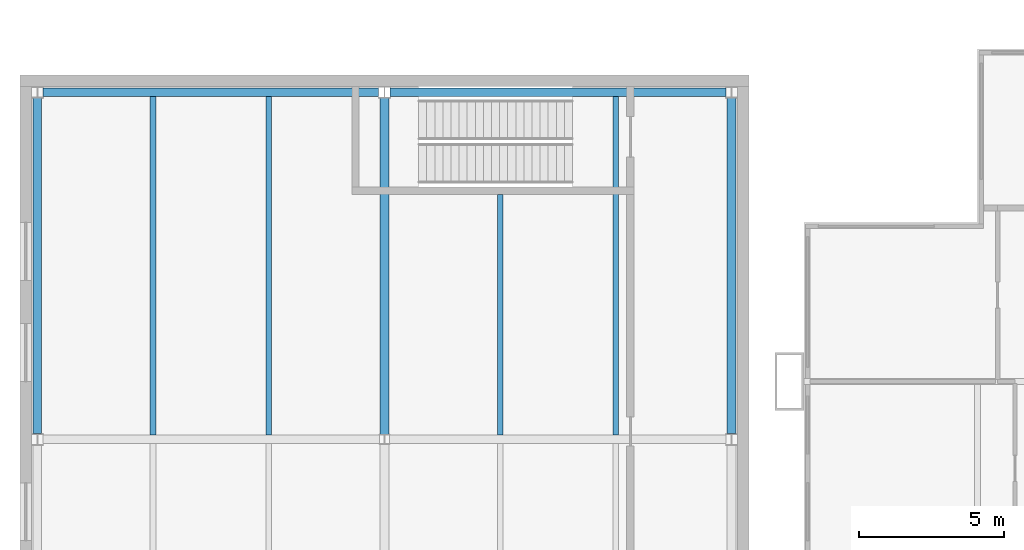
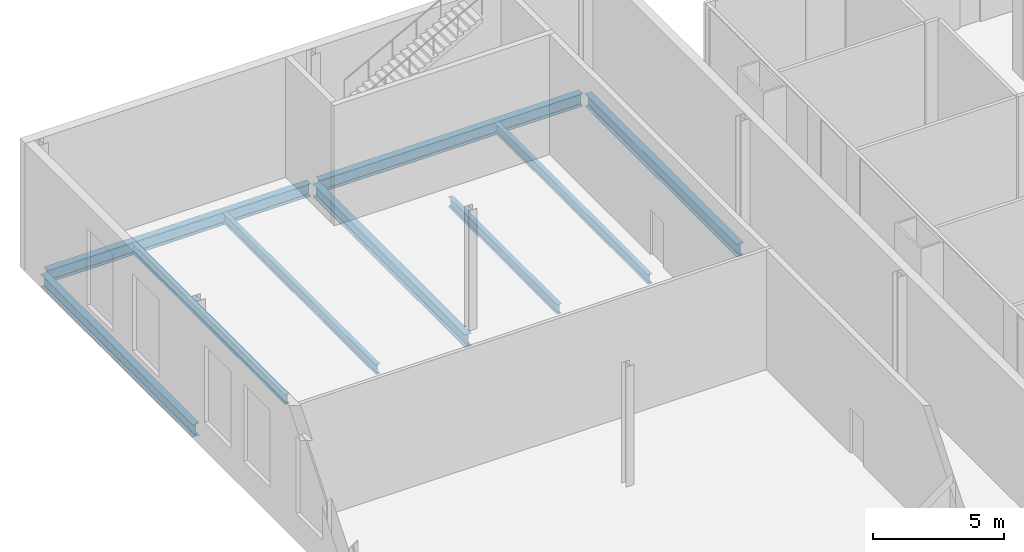
# One storey, part 12 of 25: 9 beams.
"""IFC4 building model written with IfcOpenShell, lengths in metres."""

from ifc_helpers import new_model, si_unit, direction, frame, origin, origin_2d, place, context, subcontext, project, spatial, i_section, extrude, material, material_profile, profile_set, type_object, element, save


model = new_model("IFC4")

# Units and contexts
model_context = context("Model", 3, precision=1e-05, world=origin(), true_north=direction((0.0, 1.0)))
body_context = subcontext(model_context, "Body", "Model", "MODEL_VIEW")
ifc_project = project(units=[si_unit("LENGTHUNIT", "METRE"), si_unit("AREAUNIT", "SQUARE_METRE"), si_unit("VOLUMEUNIT", "CUBIC_METRE"), si_unit("PLANEANGLEUNIT", "RADIAN"), si_unit("MASSUNIT", "GRAM", prefix="KILO")], contexts=[model_context])

# Site, building, storey
site_placement = place(None, origin())
site = spatial("IfcSite", under=ifc_project, at=site_placement, CompositionType="ELEMENT")
building_placement = place(site_placement, origin())
building = spatial("IfcBuilding", under=site, at=building_placement, Name="Kitamizu Gate Tower and Museum", CompositionType="ELEMENT")
storey_placement = place(building_placement, frame((0.0, 0.0, 18.0)))
storey = spatial("IfcBuildingStorey", under=building, at=storey_placement, Name="L03", CompositionType="ELEMENT", Elevation=18.0)

# Beams
ifc_material_1 = material(Name="Steel SS400", Category="steel")
ifc_material_profile_1 = material_profile(ifc_material_1, i_section(OverallWidth=0.300048828125, OverallDepth=0.587890625, WebThickness=0.011962890625, FlangeThickness=0.02001953125, FilletRadius=0.028076171875, at=origin_2d()), Name="H-588x300x12x20")
ifc_profile_set_1 = profile_set([ifc_material_profile_1], Name="Steel SS400")
beam_type_1 = type_object("IfcBeamType", Name="Museum girder H 588x300x12x20", PredefinedType="BEAM", material=ifc_profile_set_1)
for number, where, z_axis, x_axis, name in (
    (1, (-25.800048828125, 46.0, -0.694091796875), (1.0, 0.0, 0.0), (0.0, 1.0, 0.0), "Girder xM1M2MG"),
    (2, (-13.800048828125, 46.0, -0.694091796875), (1.0, 0.0, 0.0), (0.0, 1.0, 0.0), "Girder xM2M3MG"),
    (3, (-26.0, 34.199951171875, -0.694091796875), (0.0, 1.0, 0.0), (-1.0, 0.0, 0.0), "Girder yM1MFMG"),
):
    element("IfcBeam", number, at=place(storey_placement, frame(where, z_axis=z_axis, x_axis=x_axis)), inside=storey, type_object=beam_type_1, Name=name, PredefinedType="BEAM", context=body_context, shape_type="SweptSolid", body=[
        extrude(i_section(OverallWidth=0.300048828125, OverallDepth=0.587890625, WebThickness=0.011962890625, FlangeThickness=0.02001953125, FilletRadius=0.028076171875, at=origin_2d()), origin(), (0.0, 0.0, 1.0), 11.60009765625),
    ])
beam_1_placement = place(storey_placement, frame((-14.0, 34.175048828125, -0.694091796875), z_axis=(0.0, 1.0, 0.0), x_axis=(-1.0, 0.0, 0.0)))
element("IfcBeam", 4, at=beam_1_placement, inside=storey, type_object=beam_type_1, Name="Girder yM2MFMG", PredefinedType="BEAM", context=body_context, shape_type="SweptSolid", body=[
    extrude(i_section(OverallWidth=0.300048828125, OverallDepth=0.587890625, WebThickness=0.011962890625, FlangeThickness=0.02001953125, FilletRadius=0.028076171875, at=origin_2d()), origin(), (0.0, 0.0, 1.0), 11.625),
])
beam_2_placement = place(storey_placement, frame((-2.0, 34.199951171875, -0.694091796875), z_axis=(0.0, 1.0, 0.0), x_axis=(-1.0, 0.0, 0.0)))
element("IfcBeam", 5, at=beam_2_placement, inside=storey, type_object=beam_type_1, Name="Girder yM3MFMG", PredefinedType="BEAM", context=body_context, shape_type="SweptSolid", body=[
    extrude(i_section(OverallWidth=0.300048828125, OverallDepth=0.587890625, WebThickness=0.011962890625, FlangeThickness=0.02001953125, FilletRadius=0.028076171875, at=origin_2d()), origin(), (0.0, 0.0, 1.0), 11.60009765625),
])
ifc_material_2 = material(Name="Steel SS400", Category="steel")
ifc_material_profile_2 = material_profile(ifc_material_2, i_section(OverallWidth=0.199951171875, OverallDepth=0.449951171875, WebThickness=0.009033203125, FlangeThickness=0.013916015625, FilletRadius=0.01806640625, at=origin_2d()), Name="H-450x200x9x14")
ifc_profile_set_2 = profile_set([ifc_material_profile_2], Name="Steel SS400")
beam_type_2 = type_object("IfcBeamType", Name="Museum secondary beam H 450x200x9x14", PredefinedType="JOIST", material=ifc_profile_set_2)
for number, where, z_axis, x_axis, name in (
    (6, (-22.0, 34.14990234375, -0.625), (0.0, 1.0, 0.0), (-1.0, 0.0, 0.0), "Secondary beam M1M2MFMG.1"),
    (7, (-18.0, 34.14990234375, -0.625), (0.0, 1.0, 0.0), (-1.0, 0.0, 0.0), "Secondary beam M1M2MFMG.2"),
):
    element("IfcBeam", number, at=place(storey_placement, frame(where, z_axis=z_axis, x_axis=x_axis)), inside=storey, type_object=beam_type_2, Name=name, PredefinedType="JOIST", context=body_context, shape_type="SweptSolid", body=[
        extrude(i_section(OverallWidth=0.199951171875, OverallDepth=0.449951171875, WebThickness=0.009033203125, FlangeThickness=0.013916015625, FilletRadius=0.01806640625, at=origin_2d()), origin(), (0.0, 0.0, 1.0), 11.7001953125),
    ])
beam_3_placement = place(storey_placement, frame((-10.0, 34.14990234375, -0.625), z_axis=(0.0, 1.0, 0.0), x_axis=(-1.0, 0.0, 0.0)))
element("IfcBeam", 8, at=beam_3_placement, inside=storey, type_object=beam_type_2, Name="Secondary beam M2M3MFMG.1", PredefinedType="JOIST", context=body_context, shape_type="SweptSolid", body=[
    extrude(i_section(OverallWidth=0.199951171875, OverallDepth=0.449951171875, WebThickness=0.009033203125, FlangeThickness=0.013916015625, FilletRadius=0.01806640625, at=origin_2d()), origin(), (0.0, 0.0, 1.0), 8.3251953125),
])
beam_4_placement = place(storey_placement, frame((-6.0, 34.14990234375, -0.625), z_axis=(0.0, 1.0, 0.0), x_axis=(-1.0, 0.0, 0.0)))
element("IfcBeam", 9, at=beam_4_placement, inside=storey, type_object=beam_type_2, Name="Secondary beam M2M3MFMG.2", PredefinedType="JOIST", context=body_context, shape_type="SweptSolid", body=[
    extrude(i_section(OverallWidth=0.199951171875, OverallDepth=0.449951171875, WebThickness=0.009033203125, FlangeThickness=0.013916015625, FilletRadius=0.01806640625, at=origin_2d()), origin(), (0.0, 0.0, 1.0), 11.7001953125),
])

save(model, "model.ifc")
